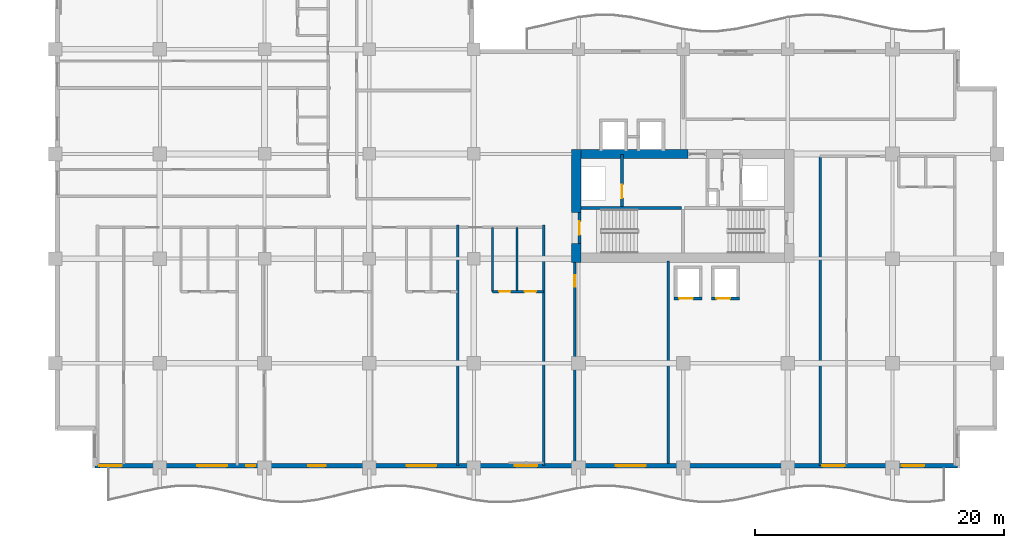
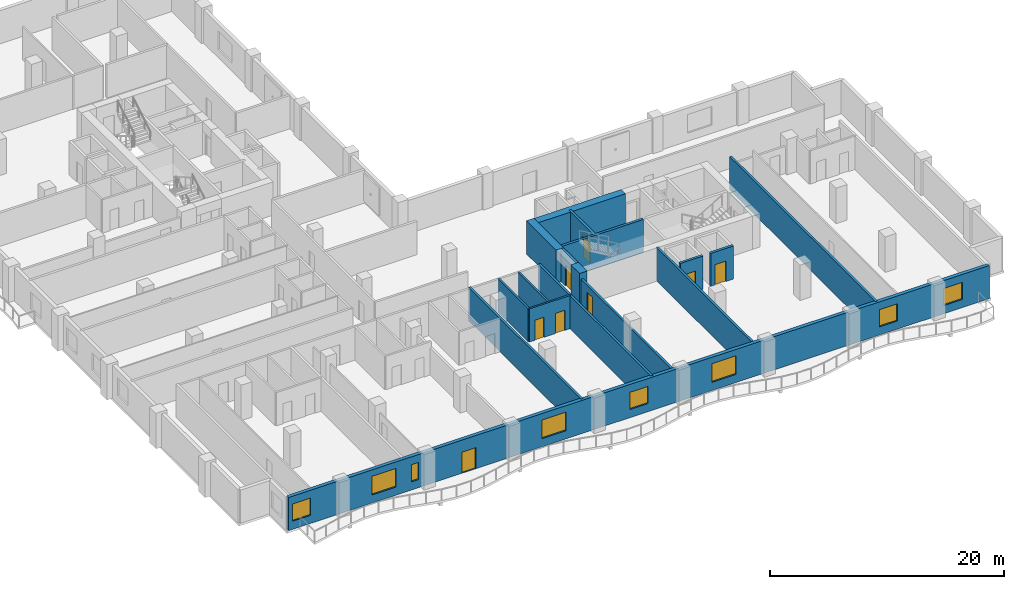
# One storey, part 5 of 16: 17 walls, 8 doors, 8 windows, 16 openings.
"""IFC4 building model written with IfcOpenShell, lengths in metres."""

from ifc_helpers import new_model, si_unit, direction, frame, frame_2d, origin, place, context, subcontext, project, spatial, rectangle, extrude, material, layer, layer_set, type_object, element, fill, save


model = new_model("IFC4")

# Units and contexts
model_context = context("Model", 3, precision=1e-05, world=origin(), true_north=direction((0.0, 1.0)))
body_context = subcontext(model_context, "Body", "Model", "MODEL_VIEW")
ifc_project = project(units=[si_unit("LENGTHUNIT", "METRE"), si_unit("AREAUNIT", "SQUARE_METRE"), si_unit("VOLUMEUNIT", "CUBIC_METRE"), si_unit("PLANEANGLEUNIT", "RADIAN"), si_unit("MASSUNIT", "GRAM", prefix="KILO")], contexts=[model_context])

# Site, building, storey
site_placement = place(None, origin())
site = spatial("IfcSite", under=ifc_project, at=site_placement, CompositionType="ELEMENT")
building_placement = place(site_placement, origin())
building = spatial("IfcBuilding", under=site, at=building_placement, Name="Koriwani Terraces Tower", CompositionType="ELEMENT")
storey_placement = place(building_placement, frame((0.0, 0.0, 186.5)))
storey = spatial("IfcBuildingStorey", under=building, at=storey_placement, Name="L45", CompositionType="ELEMENT", Elevation=186.5)

# Walls
ifc_material_1 = material(Name="Concrete C60/75", Category="concrete")
ifc_layer_1 = layer(ifc_material_1, 0.75, Name="Concrete C60/75")
ifc_layer_set_1 = layer_set([ifc_layer_1], Name="Concrete C60/75")
wall_type_1 = type_object("IfcWallType", Name="WALL_CORE_RC_750", PredefinedType="SHEAR", material=ifc_layer_set_1)
wall_1_placement = place(storey_placement, frame((41.824951171875, 16.5, 0.0), z_axis=(0.0, 0.0, 1.0), x_axis=(0.0, 1.0, 0.0)))
element("IfcWall", 1, at=wall_1_placement, inside=storey, type_object=wall_type_1, Name="L45 East Split Core Shear Wall W1", PredefinedType="SHEAR", context=body_context, shape_type="SweptSolid", body=[
    extrude(rectangle(XDim=1.5, YDim=0.75, at=frame_2d((0.75, 0.0))), origin(), (0.0, 0.0, 1.0), 3.469970703125),
])
wall_2_placement = place(storey_placement, frame((41.824951171875, 20.5, 0.0), z_axis=(0.0, 0.0, 1.0), x_axis=(0.0, 1.0, 0.0)))
element("IfcWall", 2, at=wall_2_placement, inside=storey, type_object=wall_type_1, Name="L45 East Split Core Shear Wall W2", PredefinedType="SHEAR", context=body_context, shape_type="SweptSolid", body=[
    extrude(rectangle(XDim=5.074951171875, YDim=0.75, at=frame_2d((2.53759765625, 0.0))), origin(), (0.0, 0.0, 1.0), 3.469970703125),
])
wall_3_placement = place(storey_placement, frame((42.199951171875, 25.199951171875, 0.0), z_axis=(0.0, 0.0, 1.0), x_axis=(1.0, 0.0, 0.0)))
element("IfcWall", 3, at=wall_3_placement, inside=storey, type_object=wall_type_1, Name="L45 East Split Core Shear Wall N1", PredefinedType="SHEAR", context=body_context, shape_type="SweptSolid", body=[
    extrude(rectangle(XDim=8.60009765625, YDim=0.75, at=frame_2d((4.300048828125, 0.0))), origin(), (0.0, 0.0, 1.0), 3.469970703125),
])

# Wall, opening, door
ifc_material_2 = material(Name="Autoclaved Cellular Concrete Blockwork", Category="masonry")
ifc_layer_2 = layer(ifc_material_2, 0.199951171875, Name="Autoclaved Cellular Concrete Blockwork")
ifc_layer_set_2 = layer_set([ifc_layer_2], Name="Autoclaved Cellular Concrete Blockwork")
wall_type_2 = type_object("IfcWallType", Name="WALL_CORRIDOR_200", PredefinedType="PARTITIONING", material=ifc_layer_set_2)
wall_4_placement = place(storey_placement, frame((41.699951171875, 0.35009765625, 0.0), z_axis=(0.0, 0.0, 1.0), x_axis=(0.0, 1.0, 0.0)))
wall_4 = element("IfcWall", 4, at=wall_4_placement, inside=storey, type_object=wall_type_2, Name="L45 Interior Wall WREC-EW-L45", PredefinedType="PARTITIONING", context=body_context, shape_type="SweptSolid", body=[
    extrude(rectangle(XDim=16.25, YDim=0.199951171875, at=frame_2d((8.125, 0.0))), origin(), (0.0, 0.0, 1.0), 2.820068359375),
])
opening_1_placement = place(wall_4_placement, frame((14.199951171875, 0.0, 0.0)))
opening_1 = element("IfcOpeningElement", 5, at=opening_1_placement, cuts=wall_4, Name="Opening D-06", PredefinedType="OPENING", context=body_context, shape_type="SweptSolid", body=[
    extrude(rectangle(XDim=0.919921875, YDim=2.10009765625, at=frame_2d((0.4599609375, 1.050048828125))), frame((0.0, 0.10986328125, 0.0), z_axis=(0.0, -1.0, 0.0), x_axis=(1.0, 0.0, 0.0)), (0.0, 0.0, 1.0), 0.219970703125),
])
ifc_material_3 = material(Name="Architectural Oak Fire Door", Category="wood")
door_type_1 = type_object("IfcDoorType", Name="DOOR_ROOM_INT_920X2100", OperationType="NOTDEFINED", PredefinedType="DOOR", material=ifc_material_3)
door_1_placement = place(opening_1_placement, origin())
door_1 = element("IfcDoor", 6, at=door_1_placement, inside=storey, type_object=door_type_1, Name="L45 Resident Co-Working Study Door", OperationType="SINGLE_SWING_RIGHT", OverallHeight=2.10009765625, OverallWidth=0.919921875, PredefinedType="DOOR", context=body_context, shape_type="SweptSolid", body=[
    extrude(rectangle(XDim=0.919921875, YDim=2.10009765625, at=frame_2d((0.4599609375, 1.050048828125))), frame((0.0, 0.02490234375, 0.0), z_axis=(0.0, -1.0, 0.0), x_axis=(1.0, 0.0, 0.0)), (0.0, 0.0, 1.0), 0.050048828125),
])
fill(opening_1, door_1)

# Walls
ifc_layer_3 = layer(ifc_material_2, 0.219970703125, Name="Autoclaved Cellular Concrete Blockwork")
ifc_layer_set_3 = layer_set([ifc_layer_3], Name="Autoclaved Cellular Concrete Blockwork")
wall_type_3 = type_object("IfcWallType", Name="WALL_DEMISING_220", PredefinedType="PARTITIONING", material=ifc_layer_set_3)
wall_5_placement = place(storey_placement, frame((49.199951171875, 0.35009765625, 0.0), z_axis=(0.0, 0.0, 1.0), x_axis=(0.0, 1.0, 0.0)))
element("IfcWall", 7, at=wall_5_placement, inside=storey, type_object=wall_type_3, Name="L45 Interior Wall WREC-EE-L45", PredefinedType="PARTITIONING", context=body_context, shape_type="SweptSolid", body=[
    extrude(rectangle(XDim=16.25, YDim=0.219970703125, at=frame_2d((8.125, 0.0))), origin(), (0.0, 0.0, 1.0), 3.469970703125),
])
for number, where, z_axis, x_axis, name in (
    (8, (32.300048828125, 0.199951171875, 0.0), (0.0, 0.0, 1.0), (0.0, 1.0, 0.0), "L45 Interior Wall WRDEM-L45-SW-3"),
    (9, (39.199951171875, 0.199951171875, 0.0), (0.0, 0.0, 1.0), (0.0, 1.0, 0.0), "L45 Interior Wall WRDEME-L45-SW"),
):
    element("IfcWall", number, at=place(storey_placement, frame(where, z_axis=z_axis, x_axis=x_axis)), inside=storey, type_object=wall_type_3, Name=name, PredefinedType="PARTITIONING", context=body_context, shape_type="SweptSolid", body=[
        extrude(rectangle(XDim=19.280029296875, YDim=0.219970703125, at=frame_2d((9.64013671875, 0.0))), origin(), (0.0, 0.0, 1.0), 3.469970703125),
    ])
wall_6_placement = place(storey_placement, frame((61.39990234375, 0.199951171875, 0.0), z_axis=(0.0, 0.0, 1.0), x_axis=(0.0, 1.0, 0.0)))
element("IfcWall", 10, at=wall_6_placement, inside=storey, type_object=wall_type_3, Name="L45 Interior Wall WRDEM-L45-SE-0", PredefinedType="PARTITIONING", context=body_context, shape_type="SweptSolid", body=[
    extrude(rectangle(XDim=24.97998046875, YDim=0.219970703125, at=frame_2d((12.489990234375, 0.0))), origin(), (0.0, 0.0, 1.0), 3.469970703125),
])

# Wall, openings, door, windows
ifc_material_4 = material(Name="Concrete C50/60", Category="concrete")
ifc_layer_4 = layer(ifc_material_4, 0.35009765625, Name="Concrete C50/60")
ifc_layer_set_4 = layer_set([ifc_layer_4], Name="Concrete C50/60")
wall_type_4 = type_object("IfcWallType", Name="WALL_EXT_BRUTALIST_350", PredefinedType="STANDARD", material=ifc_layer_set_4)
wall_7_placement = place(storey_placement, frame((72.425048828125, 0.175048828125, 0.0), z_axis=(0.0, 0.0, 1.0), x_axis=(-1.0, 0.0, 0.0)))
wall_7 = element("IfcWall", 11, at=wall_7_placement, inside=storey, type_object=wall_type_4, Name="L45 Fair-Faced Brutalist Exterior Wall (S)", PredefinedType="STANDARD", context=body_context, shape_type="SweptSolid", body=[
    extrude(rectangle(XDim=69.25, YDim=0.35009765625, at=frame_2d((34.625, 0.0))), origin(), (0.0, 0.0, 1.0), 3.469970703125),
])
opening_2_placement = place(wall_7_placement, frame((50.72509765625, 0.0, 0.0)))
opening_2 = element("IfcOpeningElement", 12, at=opening_2_placement, cuts=wall_7, Name="Opening D-09", PredefinedType="OPENING", context=body_context, shape_type="SweptSolid", body=[
    extrude(rectangle(XDim=1.39990234375, YDim=2.199951171875, at=frame_2d((0.699951171875, 1.10009765625))), frame((0.0, 0.18505859375, 0.0), z_axis=(0.0, -1.0, 0.0), x_axis=(1.0, 0.0, 0.0)), (0.0, 0.0, 1.0), 0.3701171875),
])
opening_3_placement = place(wall_7_placement, frame((58.625, 0.0, 0.85009765625)))
opening_3 = element("IfcOpeningElement", 13, at=opening_3_placement, cuts=wall_7, Name="Opening W-03", PredefinedType="OPENING", context=body_context, shape_type="SweptSolid", body=[
    extrude(rectangle(XDim=2.39990234375, YDim=1.949951171875, at=frame_2d((1.199951171875, 0.97509765625))), frame((0.0, 0.18505859375, 0.0), z_axis=(0.0, -1.0, 0.0), x_axis=(1.0, 0.0, 0.0)), (0.0, 0.0, 1.0), 0.3701171875),
])
opening_4_placement = place(wall_7_placement, frame((41.824951171875, 0.0, 0.85009765625)))
opening_4 = element("IfcOpeningElement", 14, at=opening_4_placement, cuts=wall_7, Name="Opening W-03", PredefinedType="OPENING", context=body_context, shape_type="SweptSolid", body=[
    extrude(rectangle(XDim=2.39990234375, YDim=1.949951171875, at=frame_2d((1.199951171875, 0.97509765625))), frame((0.0, 0.18505859375, 0.0), z_axis=(0.0, -1.0, 0.0), x_axis=(1.0, 0.0, 0.0)), (0.0, 0.0, 1.0), 0.3701171875),
])
opening_5_placement = place(wall_7_placement, frame((33.72509765625, 0.0, 0.85009765625)))
opening_5 = element("IfcOpeningElement", 15, at=opening_5_placement, cuts=wall_7, Name="Opening W-04", PredefinedType="OPENING", context=body_context, shape_type="SweptSolid", body=[
    extrude(rectangle(XDim=1.800048828125, YDim=1.800048828125, at=frame_2d((0.89990234375, 0.89990234375))), frame((0.0, 0.18505859375, 0.0), z_axis=(0.0, -1.0, 0.0), x_axis=(1.0, 0.0, 0.0)), (0.0, 0.0, 1.0), 0.3701171875),
])
opening_6_placement = place(wall_7_placement, frame((25.02490234375, 0.0, 0.85009765625)))
opening_6 = element("IfcOpeningElement", 16, at=opening_6_placement, cuts=wall_7, Name="Opening W-03", PredefinedType="OPENING", context=body_context, shape_type="SweptSolid", body=[
    extrude(rectangle(XDim=2.39990234375, YDim=1.949951171875, at=frame_2d((1.199951171875, 0.97509765625))), frame((0.0, 0.18505859375, 0.0), z_axis=(0.0, -1.0, 0.0), x_axis=(1.0, 0.0, 0.0)), (0.0, 0.0, 1.0), 0.3701171875),
])
opening_7_placement = place(wall_7_placement, frame((67.074951171875, 0.0, 0.85009765625)))
opening_7 = element("IfcOpeningElement", 17, at=opening_7_placement, cuts=wall_7, Name="Opening W-04", PredefinedType="OPENING", context=body_context, shape_type="SweptSolid", body=[
    extrude(rectangle(XDim=1.800048828125, YDim=1.800048828125, at=frame_2d((0.89990234375, 0.89990234375))), frame((0.0, 0.18505859375, 0.0), z_axis=(0.0, -1.0, 0.0), x_axis=(1.0, 0.0, 0.0)), (0.0, 0.0, 1.0), 0.3701171875),
])
opening_8_placement = place(wall_7_placement, frame((56.389892578125, 0.0, 0.85009765625)))
opening_8 = element("IfcOpeningElement", 18, at=opening_8_placement, cuts=wall_7, Name="Opening W-08", PredefinedType="OPENING", context=body_context, shape_type="SweptSolid", body=[
    extrude(rectangle(XDim=0.719970703125, YDim=1.800048828125, at=frame_2d((0.35986328125, 0.89990234375))), frame((0.0, 0.18505859375, 0.0), z_axis=(0.0, -1.0, 0.0), x_axis=(1.0, 0.0, 0.0)), (0.0, 0.0, 1.0), 0.3701171875),
])
opening_9_placement = place(wall_7_placement, frame((9.074951171875, 0.0, 0.85009765625)))
opening_9 = element("IfcOpeningElement", 19, at=opening_9_placement, cuts=wall_7, Name="Opening W-04", PredefinedType="OPENING", context=body_context, shape_type="SweptSolid", body=[
    extrude(rectangle(XDim=1.800048828125, YDim=1.800048828125, at=frame_2d((0.89990234375, 0.89990234375))), frame((0.0, 0.18505859375, 0.0), z_axis=(0.0, -1.0, 0.0), x_axis=(1.0, 0.0, 0.0)), (0.0, 0.0, 1.0), 0.3701171875),
])
opening_10_placement = place(wall_7_placement, frame((2.675048828125, 0.0, 0.85009765625)))
opening_10 = element("IfcOpeningElement", 20, at=opening_10_placement, cuts=wall_7, Name="Opening W-04", PredefinedType="OPENING", context=body_context, shape_type="SweptSolid", body=[
    extrude(rectangle(XDim=1.800048828125, YDim=1.800048828125, at=frame_2d((0.89990234375, 0.89990234375))), frame((0.0, 0.18505859375, 0.0), z_axis=(0.0, -1.0, 0.0), x_axis=(1.0, 0.0, 0.0)), (0.0, 0.0, 1.0), 0.3701171875),
])
ifc_material_5 = material(Name="Anodised Bronze Aluminium", Category="aluminium")
door_type_2 = type_object("IfcDoorType", Name="DOOR_BALCONY_GLAZED_1400X2200", OperationType="NOTDEFINED", PredefinedType="DOOR", material=ifc_material_5)
door_2_placement = place(opening_2_placement, origin())
door_2 = element("IfcDoor", 21, at=door_2_placement, inside=storey, type_object=door_type_2, Name="L45 South Balcony Glazed Door", OperationType="SINGLE_SWING_LEFT", OverallHeight=2.199951171875, OverallWidth=1.39990234375, PredefinedType="DOOR", context=body_context, shape_type="SweptSolid", body=[
    extrude(rectangle(XDim=1.39990234375, YDim=2.199951171875, at=frame_2d((0.699951171875, 1.10009765625))), frame((0.0, 0.02490234375, 0.0), z_axis=(0.0, -1.0, 0.0), x_axis=(1.0, 0.0, 0.0)), (0.0, 0.0, 1.0), 0.050048828125),
])
fill(opening_2, door_2)
ifc_material_6 = material(Name="Tempered Laminated Low-E Glass", Category="glass")
window_type_1 = type_object("IfcWindowType", Name="WIN_RES_BED_1800X1800", PartitioningType="DOUBLE_PANEL_VERTICAL", PredefinedType="WINDOW", material=ifc_material_6)
window_1_placement = place(opening_5_placement, origin())
window_1 = element("IfcWindow", 22, at=window_1_placement, inside=storey, type_object=window_type_1, Name="L45 Exterior Window (S-12)", OverallHeight=1.800048828125, OverallWidth=1.800048828125, PartitioningType="SINGLE_PANEL", PredefinedType="WINDOW", context=body_context, shape_type="SweptSolid", body=[
    extrude(rectangle(XDim=1.800048828125, YDim=1.800048828125, at=frame_2d((0.89990234375, 0.89990234375))), frame((0.0, 0.030029296875, 0.0), z_axis=(0.0, -1.0, 0.0), x_axis=(1.0, 0.0, 0.0)), (0.0, 0.0, 1.0), 0.06005859375),
])
fill(opening_5, window_1)
window_2_placement = place(opening_7_placement, origin())
window_2 = element("IfcWindow", 23, at=window_2_placement, inside=storey, type_object=window_type_1, Name="L45 Exterior Window (S-R33)", OverallHeight=1.800048828125, OverallWidth=1.800048828125, PartitioningType="SINGLE_PANEL", PredefinedType="WINDOW", context=body_context, shape_type="SweptSolid", body=[
    extrude(rectangle(XDim=1.800048828125, YDim=1.800048828125, at=frame_2d((0.89990234375, 0.89990234375))), frame((0.0, 0.030029296875, 0.0), z_axis=(0.0, -1.0, 0.0), x_axis=(1.0, 0.0, 0.0)), (0.0, 0.0, 1.0), 0.06005859375),
])
fill(opening_7, window_2)
window_3_placement = place(opening_9_placement, origin())
window_3 = element("IfcWindow", 24, at=window_3_placement, inside=storey, type_object=window_type_1, Name="L45 Exterior Window (S-R60)", OverallHeight=1.800048828125, OverallWidth=1.800048828125, PartitioningType="SINGLE_PANEL", PredefinedType="WINDOW", context=body_context, shape_type="SweptSolid", body=[
    extrude(rectangle(XDim=1.800048828125, YDim=1.800048828125, at=frame_2d((0.89990234375, 0.89990234375))), frame((0.0, 0.030029296875, 0.0), z_axis=(0.0, -1.0, 0.0), x_axis=(1.0, 0.0, 0.0)), (0.0, 0.0, 1.0), 0.06005859375),
])
fill(opening_9, window_3)
window_4_placement = place(opening_10_placement, origin())
window_4 = element("IfcWindow", 25, at=window_4_placement, inside=storey, type_object=window_type_1, Name="L45 Exterior Window (S-R61)", OverallHeight=1.800048828125, OverallWidth=1.800048828125, PartitioningType="SINGLE_PANEL", PredefinedType="WINDOW", context=body_context, shape_type="SweptSolid", body=[
    extrude(rectangle(XDim=1.800048828125, YDim=1.800048828125, at=frame_2d((0.89990234375, 0.89990234375))), frame((0.0, 0.030029296875, 0.0), z_axis=(0.0, -1.0, 0.0), x_axis=(1.0, 0.0, 0.0)), (0.0, 0.0, 1.0), 0.06005859375),
])
fill(opening_10, window_4)
window_type_2 = type_object("IfcWindowType", Name="WIN_RES_CASEMENT_1200X1800", PartitioningType="SINGLE_PANEL", PredefinedType="WINDOW", material=ifc_material_6)
window_5_placement = place(opening_8_placement, origin())
window_5 = element("IfcWindow", 26, at=window_5_placement, inside=storey, type_object=window_type_2, Name="L45 Exterior Window (S-R37)", OverallHeight=1.800048828125, OverallWidth=0.719970703125, PartitioningType="SINGLE_PANEL", PredefinedType="WINDOW", context=body_context, shape_type="SweptSolid", body=[
    extrude(rectangle(XDim=0.719970703125, YDim=1.800048828125, at=frame_2d((0.35986328125, 0.89990234375))), frame((0.0, 0.030029296875, 0.0), z_axis=(0.0, -1.0, 0.0), x_axis=(1.0, 0.0, 0.0)), (0.0, 0.0, 1.0), 0.06005859375),
])
fill(opening_8, window_5)
window_type_3 = type_object("IfcWindowType", Name="WIN_RES_LIVING_2400X1950", PartitioningType="DOUBLE_PANEL_VERTICAL", PredefinedType="WINDOW", material=ifc_material_6)
window_6_placement = place(opening_3_placement, origin())
window_6 = element("IfcWindow", 27, at=window_6_placement, inside=storey, type_object=window_type_3, Name="L45 Exterior Window (S-3)", OverallHeight=1.949951171875, OverallWidth=2.39990234375, PartitioningType="SINGLE_PANEL", PredefinedType="WINDOW", context=body_context, shape_type="SweptSolid", body=[
    extrude(rectangle(XDim=2.39990234375, YDim=1.949951171875, at=frame_2d((1.199951171875, 0.97509765625))), frame((0.0, 0.030029296875, 0.0), z_axis=(0.0, -1.0, 0.0), x_axis=(1.0, 0.0, 0.0)), (0.0, 0.0, 1.0), 0.06005859375),
])
fill(opening_3, window_6)
window_7_placement = place(opening_4_placement, origin())
window_7 = element("IfcWindow", 28, at=window_7_placement, inside=storey, type_object=window_type_3, Name="L45 Exterior Window (S-9)", OverallHeight=1.949951171875, OverallWidth=2.39990234375, PartitioningType="SINGLE_PANEL", PredefinedType="WINDOW", context=body_context, shape_type="SweptSolid", body=[
    extrude(rectangle(XDim=2.39990234375, YDim=1.949951171875, at=frame_2d((1.199951171875, 0.97509765625))), frame((0.0, 0.030029296875, 0.0), z_axis=(0.0, -1.0, 0.0), x_axis=(1.0, 0.0, 0.0)), (0.0, 0.0, 1.0), 0.06005859375),
])
fill(opening_4, window_7)
window_8_placement = place(opening_6_placement, origin())
window_8 = element("IfcWindow", 29, at=window_8_placement, inside=storey, type_object=window_type_3, Name="L45 Exterior Window (S-15)", OverallHeight=1.949951171875, OverallWidth=2.39990234375, PartitioningType="SINGLE_PANEL", PredefinedType="WINDOW", context=body_context, shape_type="SweptSolid", body=[
    extrude(rectangle(XDim=2.39990234375, YDim=1.949951171875, at=frame_2d((1.199951171875, 0.97509765625))), frame((0.0, 0.030029296875, 0.0), z_axis=(0.0, -1.0, 0.0), x_axis=(1.0, 0.0, 0.0)), (0.0, 0.0, 1.0), 0.06005859375),
])
fill(opening_6, window_8)

# Wall, openings, doors
ifc_material_7 = material(Name="Fire-Rated Acoustic Gypsum Partition", Category="masonry")
ifc_layer_5 = layer(ifc_material_7, 0.179931640625, Name="Fire-Rated Acoustic Gypsum Partition")
ifc_layer_set_5 = layer_set([ifc_layer_5], Name="Fire-Rated Acoustic Gypsum Partition")
wall_type_5 = type_object("IfcWallType", Name="WALL_PLUMBING_180", PredefinedType="PLUMBINGWALL", material=ifc_layer_set_5)
wall_8_placement = place(storey_placement, frame((35.10009765625, 14.14990234375, 0.0), z_axis=(0.0, 0.0, 1.0), x_axis=(1.0, 0.0, 0.0)))
wall_8 = element("IfcWall", 30, at=wall_8_placement, inside=storey, type_object=wall_type_5, Name="L45 Interior Wall WRSVC-L45-SW-3", PredefinedType="PLUMBINGWALL", context=body_context, shape_type="SweptSolid", body=[
    extrude(rectangle(XDim=4.099853515625, YDim=0.179931640625, at=frame_2d((2.0498046875, 0.0))), origin(), (0.0, 0.0, 1.0), 3.469970703125),
])
opening_11_placement = place(wall_8_placement, frame((0.533935546875, 0.0, 0.0)))
opening_11 = element("IfcOpeningElement", 31, at=opening_11_placement, cuts=wall_8, Name="Opening D-07", PredefinedType="OPENING", context=body_context, shape_type="SweptSolid", body=[
    extrude(rectangle(XDim=0.89990234375, YDim=2.10009765625, at=frame_2d((0.449951171875, 1.050048828125))), frame((0.0, 0.10009765625, 0.0), z_axis=(0.0, -1.0, 0.0), x_axis=(1.0, 0.0, 0.0)), (0.0, 0.0, 1.0), 0.199951171875),
])
opening_12_placement = place(wall_8_placement, frame((2.573974609375, 0.0, 0.0)))
opening_12 = element("IfcOpeningElement", 32, at=opening_12_placement, cuts=wall_8, Name="Opening D-06", PredefinedType="OPENING", context=body_context, shape_type="SweptSolid", body=[
    extrude(rectangle(XDim=0.919921875, YDim=2.10009765625, at=frame_2d((0.4599609375, 1.050048828125))), frame((0.0, 0.10009765625, 0.0), z_axis=(0.0, -1.0, 0.0), x_axis=(1.0, 0.0, 0.0)), (0.0, 0.0, 1.0), 0.199951171875),
])
door_type_3 = type_object("IfcDoorType", Name="DOOR_BATH_INT_900X2100", OperationType="NOTDEFINED", PredefinedType="DOOR", material=ifc_material_3)
door_3_placement = place(opening_11_placement, origin())
door_3 = element("IfcDoor", 33, at=door_3_placement, inside=storey, type_object=door_type_3, Name="Apartment 45SW4 Bathroom Door", OperationType="SINGLE_SWING_LEFT", OverallHeight=2.10009765625, OverallWidth=0.89990234375, PredefinedType="DOOR", context=body_context, shape_type="SweptSolid", body=[
    extrude(rectangle(XDim=0.89990234375, YDim=2.10009765625, at=frame_2d((0.449951171875, 1.050048828125))), frame((0.0, 0.02490234375, 0.0), z_axis=(0.0, -1.0, 0.0), x_axis=(1.0, 0.0, 0.0)), (0.0, 0.0, 1.0), 0.050048828125),
])
fill(opening_11, door_3)
door_4_placement = place(opening_12_placement, origin())
door_4 = element("IfcDoor", 34, at=door_4_placement, inside=storey, type_object=door_type_1, Name="Apartment 45SW4 Kitchen Door", OperationType="SINGLE_SWING_RIGHT", OverallHeight=2.10009765625, OverallWidth=0.919921875, PredefinedType="DOOR", context=body_context, shape_type="SweptSolid", body=[
    extrude(rectangle(XDim=0.919921875, YDim=2.10009765625, at=frame_2d((0.4599609375, 1.050048828125))), frame((0.0, 0.02490234375, 0.0), z_axis=(0.0, -1.0, 0.0), x_axis=(1.0, 0.0, 0.0)), (0.0, 0.0, 1.0), 0.050048828125),
])
fill(opening_12, door_4)

# Walls
for number, where, z_axis, x_axis, name in (
    (35, (35.10009765625, 14.14990234375, 0.0), (0.0, 0.0, 1.0), (0.0, 1.0, 0.0), "L45 Interior Wall WRSVCS-L45-SW-3"),
    (36, (37.068115234375, 14.14990234375, 0.0), (0.0, 0.0, 1.0), (0.0, 1.0, 0.0), "L45 Interior Wall WRSVCM-L45-SW-3"),
):
    element("IfcWall", number, at=place(storey_placement, frame(where, z_axis=z_axis, x_axis=x_axis)), inside=storey, type_object=wall_type_5, Name=name, PredefinedType="PLUMBINGWALL", context=body_context, shape_type="SweptSolid", body=[
        extrude(rectangle(XDim=5.150146484375, YDim=0.179931640625, at=frame_2d((2.5751953125, 0.0))), origin(), (0.0, 0.0, 1.0), 3.469970703125),
    ])
ifc_material_8 = material(Name="Concrete C40/50", Category="concrete")
ifc_layer_6 = layer(ifc_material_8, 0.25, Name="Concrete C40/50")
ifc_layer_set_6 = layer_set([ifc_layer_6], Name="Concrete C40/50")
wall_type_6 = type_object("IfcWallType", Name="WALL_SHAFT_RATED_250", PredefinedType="SOLIDWALL", material=ifc_layer_set_6)
wall_9_placement = place(storey_placement, frame((42.199951171875, 20.875, 0.0), z_axis=(0.0, 0.0, 1.0), x_axis=(1.0, 0.0, 0.0)))
element("IfcWall", 37, at=wall_9_placement, inside=storey, type_object=wall_type_6, Name="L45 East Split Core Web Wall MID1", PredefinedType="SOLIDWALL", context=body_context, shape_type="SweptSolid", body=[
    extrude(rectangle(XDim=8.050048828125, YDim=0.25, at=frame_2d((4.02490234375, 0.0))), origin(), (0.0, 0.0, 1.0), 3.469970703125),
])

# Wall, opening, door
wall_10_placement = place(storey_placement, frame((42.074951171875, 18.0, 0.0), z_axis=(0.0, 0.0, 1.0), x_axis=(0.0, 1.0, 0.0)))
wall_10 = element("IfcWall", 38, at=wall_10_placement, inside=storey, type_object=wall_type_6, Name="L45 Interior Wall WIN-CE-L45-STW", PredefinedType="SOLIDWALL", context=body_context, shape_type="SweptSolid", body=[
    extrude(rectangle(XDim=2.5, YDim=0.25, at=frame_2d((1.25, 0.0))), origin(), (0.0, 0.0, 1.0), 3.469970703125),
])
opening_13_placement = place(wall_10_placement, frame((0.699951171875, 0.0, 0.0)))
opening_13 = element("IfcOpeningElement", 39, at=opening_13_placement, cuts=wall_10, Name="Opening D-03", PredefinedType="OPENING", context=body_context, shape_type="SweptSolid", body=[
    extrude(rectangle(XDim=1.10009765625, YDim=2.14990234375, at=frame_2d((0.550048828125, 1.074951171875))), frame((0.0, 0.135009765625, 0.0), z_axis=(0.0, -1.0, 0.0), x_axis=(1.0, 0.0, 0.0)), (0.0, 0.0, 1.0), 0.27001953125),
])
ifc_material_9 = material(Name="Steel ASTM A572 Grade 50", Category="steel")
door_type_4 = type_object("IfcDoorType", Name="DOOR_STAIR_FIRE_1100X2150", OperationType="NOTDEFINED", PredefinedType="DOOR", material=ifc_material_9)
door_5_placement = place(opening_13_placement, origin())
door_5 = element("IfcDoor", 40, at=door_5_placement, inside=storey, type_object=door_type_4, Name="L45 Exit Stair ST-E1 Door", OperationType="SINGLE_SWING_RIGHT", OverallHeight=2.14990234375, OverallWidth=1.10009765625, PredefinedType="DOOR", context=body_context, shape_type="SweptSolid", body=[
    extrude(rectangle(XDim=1.10009765625, YDim=2.14990234375, at=frame_2d((0.550048828125, 1.074951171875))), frame((0.0, 0.02490234375, 0.0), z_axis=(0.0, -1.0, 0.0), x_axis=(1.0, 0.0, 0.0)), (0.0, 0.0, 1.0), 0.050048828125),
])
fill(opening_13, door_5)

wall_11_placement = place(storey_placement, frame((45.5, 21.0, 0.0), z_axis=(0.0, 0.0, 1.0), x_axis=(0.0, 1.0, 0.0)))
wall_11 = element("IfcWall", 41, at=wall_11_placement, inside=storey, type_object=wall_type_6, Name="L45 Interior Wall WIN-CE-L45-FE", PredefinedType="SOLIDWALL", context=body_context, shape_type="SweptSolid", body=[
    extrude(rectangle(XDim=4.14990234375, YDim=0.25, at=frame_2d((2.074951171875, 0.0))), origin(), (0.0, 0.0, 1.0), 3.469970703125),
])
opening_14_placement = place(wall_11_placement, frame((0.64990234375, 0.0, 0.0)))
opening_14 = element("IfcOpeningElement", 42, at=opening_14_placement, cuts=wall_11, Name="Opening LD-01", PredefinedType="OPENING", context=body_context, shape_type="SweptSolid", body=[
    extrude(rectangle(XDim=1.10009765625, YDim=2.14990234375, at=frame_2d((0.550048828125, 1.074951171875))), frame((0.0, 0.135009765625, 0.0), z_axis=(0.0, -1.0, 0.0), x_axis=(1.0, 0.0, 0.0)), (0.0, 0.0, 1.0), 0.27001953125),
])
door_type_5 = type_object("IfcDoorType", Name="DOOR_LIFT_LANDING_1100X2200", OperationType="NOTDEFINED", PredefinedType="DOOR", material=ifc_material_9)
door_6_placement = place(opening_14_placement, origin())
door_6 = element("IfcDoor", 43, at=door_6_placement, inside=storey, type_object=door_type_5, Name="L45 Firefighting Lift FE-02 Landing Door", OperationType="SLIDING_TO_LEFT", OverallHeight=2.14990234375, OverallWidth=1.10009765625, PredefinedType="DOOR", context=body_context, shape_type="SweptSolid", body=[
    extrude(rectangle(XDim=1.10009765625, YDim=2.14990234375, at=frame_2d((0.550048828125, 1.074951171875))), frame((0.0, 0.02490234375, 0.0), z_axis=(0.0, -1.0, 0.0), x_axis=(1.0, 0.0, 0.0)), (0.0, 0.0, 1.0), 0.050048828125),
])
fill(opening_14, door_6)

wall_12_placement = place(storey_placement, frame((49.675048828125, 13.60009765625, 0.0), z_axis=(0.0, 0.0, 1.0), x_axis=(1.0, 0.0, 0.0)))
wall_12 = element("IfcWall", 44, at=wall_12_placement, inside=storey, type_object=wall_type_6, Name="L45 Interior Wall WIN-LF-PE-M3-L45-F", PredefinedType="SOLIDWALL", context=body_context, shape_type="SweptSolid", body=[
    extrude(rectangle(XDim=2.25, YDim=0.25, at=frame_2d((1.125, 0.0))), origin(), (0.0, 0.0, 1.0), 3.469970703125),
])
opening_15_placement = place(wall_12_placement, frame((0.39990234375, 0.0, 0.0)))
opening_15 = element("IfcOpeningElement", 45, at=opening_15_placement, cuts=wall_12, Name="Opening LD-01", PredefinedType="OPENING", context=body_context, shape_type="SweptSolid", body=[
    extrude(rectangle(XDim=1.10009765625, YDim=2.14990234375, at=frame_2d((0.550048828125, 1.074951171875))), frame((0.0, 0.135009765625, 0.0), z_axis=(0.0, -1.0, 0.0), x_axis=(1.0, 0.0, 0.0)), (0.0, 0.0, 1.0), 0.27001953125),
])
door_7_placement = place(opening_15_placement, origin())
door_7 = element("IfcDoor", 46, at=door_7_placement, inside=storey, type_object=door_type_5, Name="L45 Passenger Lift PE-M3 Landing Door", OperationType="SLIDING_TO_LEFT", OverallHeight=2.14990234375, OverallWidth=1.10009765625, PredefinedType="DOOR", context=body_context, shape_type="SweptSolid", body=[
    extrude(rectangle(XDim=1.10009765625, YDim=2.14990234375, at=frame_2d((0.550048828125, 1.074951171875))), frame((0.0, 0.02490234375, 0.0), z_axis=(0.0, -1.0, 0.0), x_axis=(1.0, 0.0, 0.0)), (0.0, 0.0, 1.0), 0.050048828125),
])
fill(opening_15, door_7)

wall_13_placement = place(storey_placement, frame((52.675048828125, 13.60009765625, 0.0), z_axis=(0.0, 0.0, 1.0), x_axis=(1.0, 0.0, 0.0)))
wall_13 = element("IfcWall", 47, at=wall_13_placement, inside=storey, type_object=wall_type_6, Name="L45 Interior Wall WIN-LF-PE-M4-L45-F", PredefinedType="SOLIDWALL", context=body_context, shape_type="SweptSolid", body=[
    extrude(rectangle(XDim=2.25, YDim=0.25, at=frame_2d((1.125, 0.0))), origin(), (0.0, 0.0, 1.0), 3.469970703125),
])
opening_16_placement = place(wall_13_placement, frame((0.39990234375, 0.0, 0.0)))
opening_16 = element("IfcOpeningElement", 48, at=opening_16_placement, cuts=wall_13, Name="Opening LD-01", PredefinedType="OPENING", context=body_context, shape_type="SweptSolid", body=[
    extrude(rectangle(XDim=1.10009765625, YDim=2.14990234375, at=frame_2d((0.550048828125, 1.074951171875))), frame((0.0, 0.135009765625, 0.0), z_axis=(0.0, -1.0, 0.0), x_axis=(1.0, 0.0, 0.0)), (0.0, 0.0, 1.0), 0.27001953125),
])
door_8_placement = place(opening_16_placement, origin())
door_8 = element("IfcDoor", 49, at=door_8_placement, inside=storey, type_object=door_type_5, Name="L45 Passenger Lift PE-M4 Landing Door", OperationType="SLIDING_TO_LEFT", OverallHeight=2.14990234375, OverallWidth=1.10009765625, PredefinedType="DOOR", context=body_context, shape_type="SweptSolid", body=[
    extrude(rectangle(XDim=1.10009765625, YDim=2.14990234375, at=frame_2d((0.550048828125, 1.074951171875))), frame((0.0, 0.02490234375, 0.0), z_axis=(0.0, -1.0, 0.0), x_axis=(1.0, 0.0, 0.0)), (0.0, 0.0, 1.0), 0.050048828125),
])
fill(opening_16, door_8)

save(model, "model.ifc")
